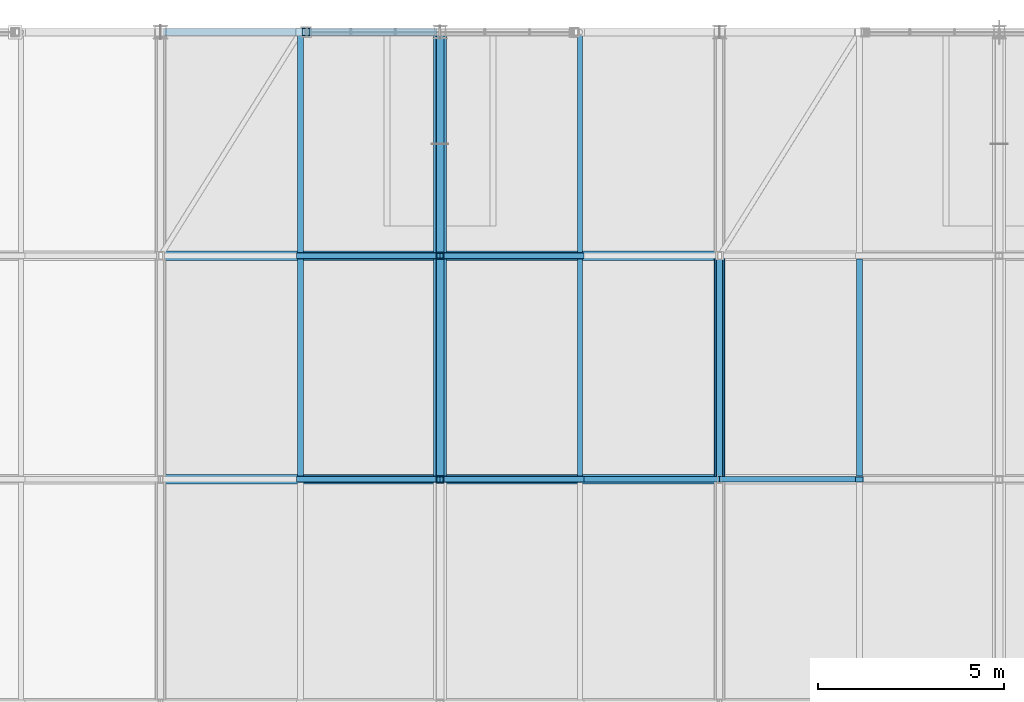
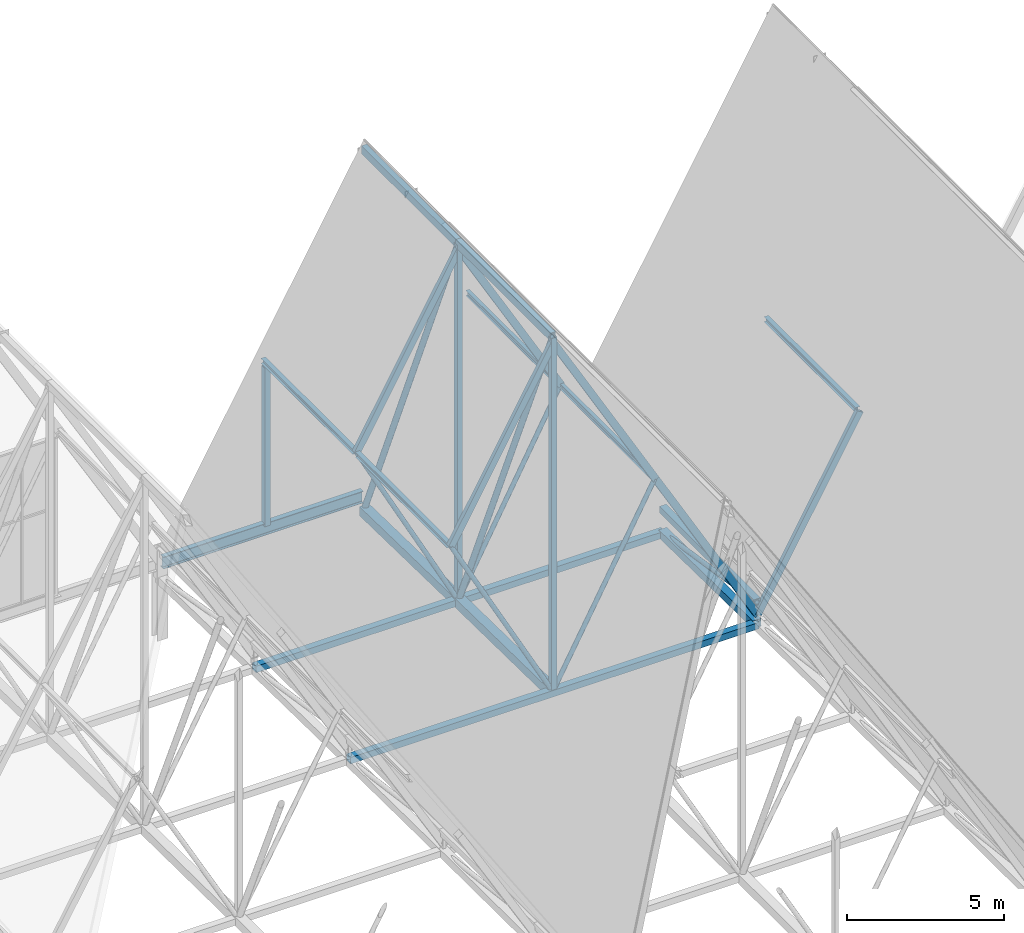
# One storey, part 153 of 324: 24 members, 6 beams.
"""IFC4 building model written with IfcOpenShell, lengths in metres."""

from ifc_helpers import new_model, si_unit, direction, frame, origin, origin_2d, place, context, subcontext, project, spatial, hollow_rectangle, hollow_circle, i_section, extrude, material, material_profile, profile_set, type_object, element, save


model = new_model("IFC4")

# Units and contexts
model_context = context("Model", 3, precision=1e-05, world=origin(), true_north=direction((0.0, 1.0)))
body_context = subcontext(model_context, "Body", "Model", "MODEL_VIEW")
ifc_project = project(units=[si_unit("LENGTHUNIT", "METRE"), si_unit("AREAUNIT", "SQUARE_METRE"), si_unit("VOLUMEUNIT", "CUBIC_METRE"), si_unit("PLANEANGLEUNIT", "RADIAN"), si_unit("MASSUNIT", "GRAM", prefix="KILO")], contexts=[model_context])

# Site, building, storey
site_placement = place(None, origin())
site = spatial("IfcSite", under=ifc_project, at=site_placement, CompositionType="ELEMENT")
building_placement = place(site_placement, origin())
building = spatial("IfcBuilding", under=site, at=building_placement, Name="Solvenia Promenade Tram Depot", CompositionType="ELEMENT")
storey_placement = place(building_placement, frame((0.0, 0.0, 4.5)))
storey = spatial("IfcBuildingStorey", under=building, at=storey_placement, Name="L01", CompositionType="ELEMENT", Elevation=4.5)

# Members
ifc_material_1 = material(Name="Structural steel ASTM A500 Gr. C", Category="steel")
ifc_material_profile_1 = material_profile(ifc_material_1, hollow_circle(Radius=0.109619140625, WallThickness=0.008056640625, at=origin_2d()), Name="CHS219.1x8", Category="steel")
ifc_profile_set_1 = profile_set([ifc_material_profile_1], Name="Structural steel ASTM A500 Gr. C")
member_type_1 = type_object("IfcMemberType", Name="Brace-CHS219x8", PredefinedType="BRACE", material=ifc_profile_set_1)
member_1_placement = place(storey_placement, frame((67.5, 120.0, 2.446044921875), z_axis=(0.0, -0.396934686746, 0.917846857846), x_axis=(1.0, 0.0, 0.0)))
element("IfcMember", 1, at=member_1_placement, inside=storey, type_object=member_type_1, Name="Arched Truss T10 Web Diagonal S09", PredefinedType="BRACE", context=body_context, shape_type="SweptSolid", body=[
    extrude(hollow_circle(Radius=0.109619140625, WallThickness=0.008056640625, at=origin_2d()), origin(), (0.0, 0.0, 1.0), 15.11572265625),
])
member_2_placement = place(storey_placement, frame((67.5, 126.0, 2.320068359375), z_axis=(0.0, -0.393919298579, 0.919145030018), x_axis=(1.0, 0.0, 0.0)))
element("IfcMember", 2, at=member_2_placement, inside=storey, type_object=member_type_1, Name="Arched Truss T10 Web Diagonal S10", PredefinedType="BRACE", context=body_context, shape_type="SweptSolid", body=[
    extrude(hollow_circle(Radius=0.109619140625, WallThickness=0.008056640625, at=origin_2d()), origin(), (0.0, 0.0, 1.0), 15.2314453125),
])
ifc_material_profile_2 = material_profile(ifc_material_1, hollow_rectangle(XDim=0.14990234375, YDim=0.25, WallThickness=0.010009765625, at=origin_2d()), Name="HSS250x150x10", Category="steel")
ifc_profile_set_2 = profile_set([ifc_material_profile_2], Name="Structural steel ASTM A500 Gr. C")
member_type_2 = type_object("IfcMemberType", Name="Chord-HSS250x150x10", PredefinedType="CHORD", material=ifc_profile_set_2)
for number, where, z_axis, x_axis, name in (
    (3, (63.75, 114.0, 9.501220703125), (0.494861595532, 0.0, 0.868971806946), (0.0, 1.0, 0.0), "Zigzag Gable 05 West Upper Rafter"),
    (4, (67.5, 114.0, 16.086181640625), (0.494861595532, 0.0, -0.868971806946), (0.0, 1.0, 0.0), "Zigzag Gable 05 East Upper Rafter"),
    (5, (71.25, 114.0, 9.501220703125), (0.494861595532, 0.0, -0.868971806946), (0.0, 1.0, 0.0), "Zigzag Gable 05 East Lower Rafter"),
    (6, (63.75, 120.0, 9.501220703125), (0.494861595532, 0.0, 0.868971806946), (0.0, 1.0, 0.0), "Zigzag Gable 05 West Upper Rafter"),
    (7, (67.5, 120.0, 16.086181640625), (0.494861595532, 0.0, -0.868971806946), (0.0, 1.0, 0.0), "Zigzag Gable 05 East Upper Rafter"),
    (8, (75.0, 114.0, 2.916259765625), (0.494861595532, 0.0, 0.868971806946), (0.0, 1.0, 0.0), "Zigzag Gable 06 West Lower Rafter"),
):
    element("IfcMember", number, at=place(storey_placement, frame(where, z_axis=z_axis, x_axis=x_axis)), inside=storey, type_object=member_type_2, Name=name, PredefinedType="CHORD", context=body_context, shape_type="SweptSolid", body=[
        extrude(hollow_rectangle(XDim=0.14990234375, YDim=0.25, WallThickness=0.010009765625, at=origin_2d()), origin(), (0.0, 0.0, 1.0), 7.577880859375),
    ])
ifc_material_profile_3 = material_profile(ifc_material_1, hollow_rectangle(XDim=0.25, YDim=0.25, WallThickness=0.010009765625, at=origin_2d()), Name="HSS250x250x10", Category="steel")
ifc_profile_set_3 = profile_set([ifc_material_profile_3], Name="Structural steel ASTM A500 Gr. C")
member_type_3 = type_object("IfcMemberType", Name="Chord-HSS250x250x10", PredefinedType="CHORD", material=ifc_profile_set_3)
member_3_placement = place(storey_placement, frame((75.0, 114.0, 3.3798828125), z_axis=(0.0, 1.0, 0.0), x_axis=(-1.0, 0.0, 0.0)))
element("IfcMember", 9, at=member_3_placement, inside=storey, type_object=member_type_3, Name="Arched Truss T11 Upper Chord S09", PredefinedType="CHORD", context=body_context, shape_type="SweptSolid", body=[
    extrude(hollow_rectangle(XDim=0.25, YDim=0.25, WallThickness=0.010009765625, at=origin_2d()), origin(), (0.0, 0.0, 1.0), 6.0),
])
for number, where, z_axis, x_axis, name in (
    (10, (60.0, 114.0, 2.5439453125), (1.0, 0.0, 0.0), (0.0, 1.0, 0.0), "Bottom-Chord Catenary Lateral Tie 044"),
    (11, (60.0, 120.0, 2.446044921875), (1.0, 0.0, 0.0), (0.0, 1.0, 0.0), "Bottom-Chord Catenary Lateral Tie 045"),
):
    element("IfcMember", number, at=place(storey_placement, frame(where, z_axis=z_axis, x_axis=x_axis)), inside=storey, type_object=member_type_3, Name=name, PredefinedType="CHORD", context=body_context, shape_type="SweptSolid", body=[
        extrude(hollow_rectangle(XDim=0.25, YDim=0.25, WallThickness=0.010009765625, at=origin_2d()), origin(), (0.0, 0.0, 1.0), 15.0),
    ])
ifc_material_profile_4 = material_profile(ifc_material_1, hollow_rectangle(XDim=0.199951171875, YDim=0.300048828125, WallThickness=0.012451171875, at=origin_2d()), Name="HSS300x200x12.5", Category="steel")
ifc_profile_set_4 = profile_set([ifc_material_profile_4], Name="Structural steel ASTM A500 Gr. C")
member_type_4 = type_object("IfcMemberType", Name="Chord-HSS300x200x12", PredefinedType="CHORD", material=ifc_profile_set_4)
for number, where, z_axis, x_axis, name in (
    (12, (67.5, 114.0, 16.320068359375), (0.0, 1.0, 0.0), (-1.0, 0.0, 0.0), "Arched Truss T10 Upper Chord S09"),
    (13, (67.5, 120.0, 16.320068359375), (0.0, 1.0, 0.0), (-1.0, 0.0, 0.0), "Arched Truss T10 Upper Chord S10"),
):
    element("IfcMember", number, at=place(storey_placement, frame(where, z_axis=z_axis, x_axis=x_axis)), inside=storey, type_object=member_type_4, Name=name, PredefinedType="CHORD", context=body_context, shape_type="SweptSolid", body=[
        extrude(hollow_rectangle(XDim=0.199951171875, YDim=0.300048828125, WallThickness=0.012451171875, at=origin_2d()), origin(), (0.0, 0.0, 1.0), 6.0),
    ])
ifc_material_profile_5 = material_profile(ifc_material_1, hollow_rectangle(XDim=0.300048828125, YDim=0.300048828125, WallThickness=0.012451171875, at=origin_2d()), Name="HSS300x300x12.5", Category="steel")
ifc_profile_set_5 = profile_set([ifc_material_profile_5], Name="Structural steel ASTM A500 Gr. C")
member_type_5 = type_object("IfcMemberType", Name="Chord-HSS300x300x12", PredefinedType="CHORD", material=ifc_profile_set_5)
member_4_placement = place(storey_placement, frame((75.0, 114.0, 2.5439453125), z_axis=(0.0, 0.999866908707, -0.016314560156), x_axis=(-1.0, 0.0, 0.0)))
element("IfcMember", 14, at=member_4_placement, inside=storey, type_object=member_type_5, Name="Arched Truss T11 Bottom Chord S09", PredefinedType="CHORD", context=body_context, shape_type="SweptSolid", body=[
    extrude(hollow_rectangle(XDim=0.300048828125, YDim=0.300048828125, WallThickness=0.012451171875, at=origin_2d()), origin(), (0.0, 0.0, 1.0), 6.000732421875),
])
ifc_material_profile_6 = material_profile(ifc_material_1, hollow_rectangle(XDim=0.35009765625, YDim=0.35009765625, WallThickness=0.01611328125, at=origin_2d()), Name="HSS350x350x16", Category="steel")
ifc_profile_set_6 = profile_set([ifc_material_profile_6], Name="Structural steel ASTM A500 Gr. C")
member_type_6 = type_object("IfcMemberType", Name="Chord-HSS350x350x16", PredefinedType="CHORD", material=ifc_profile_set_6)
member_5_placement = place(storey_placement, frame((67.5, 114.0, 2.5439453125), z_axis=(0.0, 0.999866908707, -0.016314560156), x_axis=(-1.0, 0.0, 0.0)))
element("IfcMember", 15, at=member_5_placement, inside=storey, type_object=member_type_6, Name="Arched Truss T10 Bottom Chord S09", PredefinedType="CHORD", context=body_context, shape_type="SweptSolid", body=[
    extrude(hollow_rectangle(XDim=0.35009765625, YDim=0.35009765625, WallThickness=0.01611328125, at=origin_2d()), origin(), (0.0, 0.0, 1.0), 6.000732421875),
])
member_6_placement = place(storey_placement, frame((67.5, 120.0, 2.446044921875), z_axis=(0.0, 0.999779654873, -0.020991467363), x_axis=(-1.0, 0.0, 0.0)))
element("IfcMember", 16, at=member_6_placement, inside=storey, type_object=member_type_6, Name="Arched Truss T10 Bottom Chord S10", PredefinedType="CHORD", context=body_context, shape_type="SweptSolid", body=[
    extrude(hollow_rectangle(XDim=0.35009765625, YDim=0.35009765625, WallThickness=0.01611328125, at=origin_2d()), origin(), (0.0, 0.0, 1.0), 6.001220703125),
])
ifc_material_profile_7 = material_profile(ifc_material_1, hollow_rectangle(XDim=0.199951171875, YDim=0.199951171875, WallThickness=0.010009765625, at=origin_2d()), Name="HSS200x200x10", Category="steel")
ifc_profile_set_7 = profile_set([ifc_material_profile_7], Name="Structural steel ASTM A500 Gr. C")
member_type_7 = type_object("IfcMemberType", Name="Post-HSS200x200x10", PredefinedType="POST", material=ifc_profile_set_7)
member_7_placement = place(storey_placement, frame((67.5, 114.0, 2.5439453125), z_axis=(0.0, 0.0, 1.0), x_axis=(1.0, 0.0, 0.0)))
element("IfcMember", 17, at=member_7_placement, inside=storey, type_object=member_type_7, Name="Arched Truss T10 Web Post S08", PredefinedType="POST", context=body_context, shape_type="SweptSolid", body=[
    extrude(hollow_rectangle(XDim=0.199951171875, YDim=0.199951171875, WallThickness=0.010009765625, at=origin_2d()), origin(), (0.0, 0.0, 1.0), 13.776123046875),
])
member_8_placement = place(storey_placement, frame((67.5, 120.0, 2.446044921875), z_axis=(0.0, 0.0, 1.0), x_axis=(1.0, 0.0, 0.0)))
element("IfcMember", 18, at=member_8_placement, inside=storey, type_object=member_type_7, Name="Arched Truss T10 Web Post S09", PredefinedType="POST", context=body_context, shape_type="SweptSolid", body=[
    extrude(hollow_rectangle(XDim=0.199951171875, YDim=0.199951171875, WallThickness=0.010009765625, at=origin_2d()), origin(), (0.0, 0.0, 1.0), 13.8740234375),
])
member_9_placement = place(storey_placement, frame((63.89990234375, 126.0, 3.0), z_axis=(0.0, 0.0, 1.0), x_axis=(1.0, 0.0, 0.0)))
element("IfcMember", 19, at=member_9_placement, inside=storey, type_object=member_type_7, Name="Gable Curtain-Wall Steel Jamb Post 017", PredefinedType="POST", context=body_context, shape_type="SweptSolid", body=[
    extrude(hollow_rectangle(XDim=0.199951171875, YDim=0.199951171875, WallThickness=0.010009765625, at=origin_2d()), origin(), (0.0, 0.0, 1.0), 6.14990234375),
])

# Beams
ifc_material_2 = material(Name="Structural steel ASTM A992 Gr. 50", Category="steel")
ifc_material_profile_8 = material_profile(ifc_material_2, i_section(OverallWidth=0.133056640625, OverallDepth=0.20703125, WebThickness=0.005859375, FlangeThickness=0.00830078125, FilletRadius=0.009033203125, at=origin_2d()), Name="W200x27", Category="steel")
ifc_profile_set_8 = profile_set([ifc_material_profile_8], Name="Structural steel ASTM A992 Gr. 50")
beam_type_1 = type_object("IfcBeamType", Name="Purlin-W200x27", PredefinedType="USERDEFINED", material=ifc_profile_set_8)
for number, where, z_axis, x_axis, name in (
    (20, (71.25, 114.0849609375, 9.484130859375), (0.0, 1.0, 0.0), (-1.0, 0.0, 0.0), "Gable Roof Purlin E-0098"),
    (21, (71.25, 120.0849609375, 9.484130859375), (0.0, 1.0, 0.0), (-1.0, 0.0, 0.0), "Gable Roof Purlin E-0100"),
):
    element("IfcBeam", number, at=place(storey_placement, frame(where, z_axis=z_axis, x_axis=x_axis)), inside=storey, type_object=beam_type_1, Name=name, ObjectType="PURLIN", PredefinedType="USERDEFINED", context=body_context, shape_type="SweptSolid", body=[
        extrude(i_section(OverallWidth=0.133056640625, OverallDepth=0.20703125, WebThickness=0.005859375, FlangeThickness=0.00830078125, FilletRadius=0.009033203125, at=origin_2d()), origin(), (0.0, 0.0, 1.0), 5.830078125),
    ])
ifc_material_profile_9 = material_profile(ifc_material_2, i_section(OverallWidth=0.1650390625, OverallDepth=0.200927734375, WebThickness=0.006103515625, FlangeThickness=0.01025390625, FilletRadius=0.010009765625, at=origin_2d()), Name="W200x36", Category="steel")
ifc_profile_set_9 = profile_set([ifc_material_profile_9], Name="Structural steel ASTM A992 Gr. 50")
beam_type_2 = type_object("IfcBeamType", Name="Purlin-W200x36", PredefinedType="USERDEFINED", material=ifc_profile_set_9)
for number, where, z_axis, x_axis, name in (
    (22, (63.75, 114.0849609375, 9.484130859375), (0.0, 1.0, 0.0), (-1.0, 0.0, 0.0), "Gable Roof Purlin W-0097"),
    (23, (63.75, 120.0849609375, 9.484130859375), (0.0, 1.0, 0.0), (-1.0, 0.0, 0.0), "Gable Roof Purlin W-0099"),
    (24, (78.75, 114.0849609375, 9.484130859375), (0.0, 1.0, 0.0), (-1.0, 0.0, 0.0), "Gable Roof Purlin W-0117"),
):
    element("IfcBeam", number, at=place(storey_placement, frame(where, z_axis=z_axis, x_axis=x_axis)), inside=storey, type_object=beam_type_2, Name=name, ObjectType="PURLIN", PredefinedType="USERDEFINED", context=body_context, shape_type="SweptSolid", body=[
        extrude(i_section(OverallWidth=0.1650390625, OverallDepth=0.200927734375, WebThickness=0.006103515625, FlangeThickness=0.01025390625, FilletRadius=0.010009765625, at=origin_2d()), origin(), (0.0, 0.0, 1.0), 5.830078125),
    ])
ifc_material_profile_10 = material_profile(ifc_material_2, i_section(OverallWidth=0.19091796875, OverallDepth=0.4599609375, WebThickness=0.010009765625, FlangeThickness=0.01611328125, FilletRadius=0.012939453125, at=origin_2d()), Name="W460x82", Category="steel")
ifc_profile_set_10 = profile_set([ifc_material_profile_10], Name="Structural steel ASTM A992 Gr. 50")
beam_type_3 = type_object("IfcBeamType", Name="Spandrel-W460x82", PredefinedType="SPANDREL", material=ifc_profile_set_10)
beam_placement = place(storey_placement, frame((60.0849609375, 126.0, 2.889892578125), z_axis=(1.0, 0.0, 0.0), x_axis=(0.0, 1.0, 0.0)))
element("IfcBeam", 25, at=beam_placement, inside=storey, type_object=beam_type_3, Name="North Shed Eave Girder BM-L01-0976", PredefinedType="SPANDREL", context=body_context, shape_type="SweptSolid", body=[
    extrude(i_section(OverallWidth=0.19091796875, OverallDepth=0.4599609375, WebThickness=0.010009765625, FlangeThickness=0.01611328125, FilletRadius=0.012939453125, at=origin_2d()), origin(), (0.0, 0.0, 1.0), 7.330078125),
])

# Members
ifc_material_profile_11 = material_profile(ifc_material_1, hollow_circle(Radius=0.084228515625, WallThickness=0.008056640625, at=origin_2d()), Name="CHS168.3x8", Category="steel")
ifc_profile_set_11 = profile_set([ifc_material_profile_11], Name="Structural steel ASTM A500 Gr. C")
member_type_8 = type_object("IfcMemberType", Name="WebDiag-CHS168x8", PredefinedType="BRACE", material=ifc_profile_set_11)
member_10_placement = place(storey_placement, frame((75.0, 120.0, 2.446044921875), z_axis=(0.0, -0.9881038455, 0.153788135133), x_axis=(1.0, 0.0, 0.0)))
element("IfcMember", 26, at=member_10_placement, inside=storey, type_object=member_type_8, Name="Arched Truss T11 Web Diagonal S09", PredefinedType="BRACE", context=body_context, shape_type="SweptSolid", body=[
    extrude(hollow_circle(Radius=0.084228515625, WallThickness=0.008056640625, at=origin_2d()), origin(), (0.0, 0.0, 1.0), 6.072265625),
])
for number, where, z_axis, x_axis, name in (
    (27, (67.5, 114.0, 2.5439453125), (-0.47447003574, 0.0, 0.880271654198), (0.0, -1.0, 0.0), "Zigzag Gable 05 West Knee Strut"),
    (28, (67.5, 114.0, 2.5439453125), (0.47447003574, 0.0, 0.880271654198), (0.0, 1.0, 0.0), "Zigzag Gable 05 East Knee Strut"),
):
    element("IfcMember", number, at=place(storey_placement, frame(where, z_axis=z_axis, x_axis=x_axis)), inside=storey, type_object=member_type_8, Name=name, PredefinedType="BRACE", context=body_context, shape_type="SweptSolid", body=[
        extrude(hollow_circle(Radius=0.084228515625, WallThickness=0.008056640625, at=origin_2d()), origin(), (0.0, 0.0, 1.0), 7.903564453125),
    ])
for number, where, z_axis, x_axis, name in (
    (29, (67.5, 120.0, 2.446044921875), (-0.469344370871, 0.0, 0.883015210249), (0.0, -1.0, 0.0), "Zigzag Gable 05 West Knee Strut"),
    (30, (67.5, 120.0, 2.446044921875), (0.469344370871, 0.0, 0.883015210249), (0.0, 1.0, 0.0), "Zigzag Gable 05 East Knee Strut"),
):
    element("IfcMember", number, at=place(storey_placement, frame(where, z_axis=z_axis, x_axis=x_axis)), inside=storey, type_object=member_type_8, Name=name, PredefinedType="BRACE", context=body_context, shape_type="SweptSolid", body=[
        extrude(hollow_circle(Radius=0.084228515625, WallThickness=0.008056640625, at=origin_2d()), origin(), (0.0, 0.0, 1.0), 7.989990234375),
    ])

save(model, "model.ifc")
